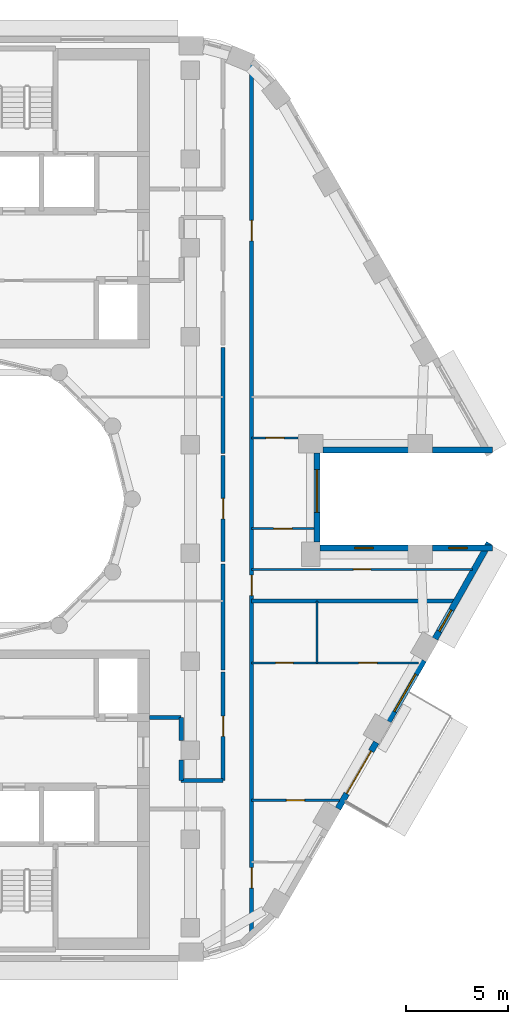
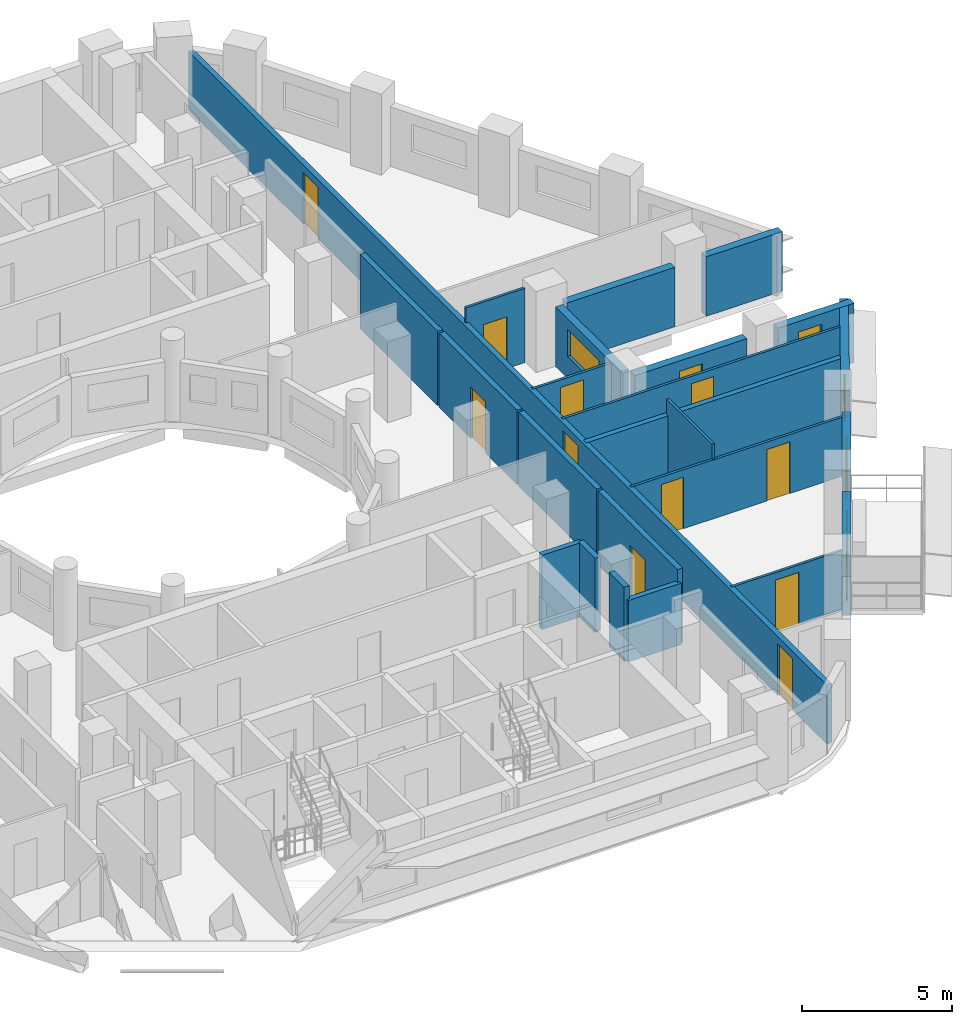
# One storey, part 6 of 15: 24 walls, 12 doors, 5 windows, 17 openings.
"""IFC4 building model written with IfcOpenShell, lengths in metres."""

from ifc_helpers import new_model, si_unit, direction, frame, frame_2d, origin, place, context, subcontext, project, spatial, rectangle, extrude, material, layer, layer_set, type_object, element, fill, save


model = new_model("IFC4")

# Units and contexts
model_context = context("Model", 3, precision=1e-05, world=origin(), true_north=direction((0.0, 1.0)))
body_context = subcontext(model_context, "Body", "Model", "MODEL_VIEW")
ifc_project = project(units=[si_unit("LENGTHUNIT", "METRE"), si_unit("AREAUNIT", "SQUARE_METRE"), si_unit("VOLUMEUNIT", "CUBIC_METRE"), si_unit("PLANEANGLEUNIT", "RADIAN"), si_unit("MASSUNIT", "GRAM", prefix="KILO")], contexts=[model_context])

# Site, building, storey
site_placement = place(None, origin())
site = spatial("IfcSite", under=ifc_project, at=site_placement, CompositionType="ELEMENT")
building_placement = place(site_placement, origin())
building = spatial("IfcBuilding", under=site, at=building_placement, Name="Nakaniwa Court", CompositionType="ELEMENT")
storey_placement = place(building_placement, frame((0.0, 0.0, 186.60009765625)))
storey = spatial("IfcBuildingStorey", under=building, at=storey_placement, Name="L48", CompositionType="ELEMENT", Elevation=186.60009765625)

# Wall, opening, door
ifc_material_1 = material(Name="Acoustic double stud partition")
ifc_layer_1 = layer(ifc_material_1, 0.199951171875)
ifc_layer_set_1 = layer_set([ifc_layer_1], Name="Acoustic double stud partition")
wall_type_1 = type_object("IfcWallType", Name="Acoustic double stud partition 200", PredefinedType="PARTITIONING", material=ifc_layer_set_1)
wall_1_placement = place(storey_placement, frame((91.60009765625, 66.22509765625, 0.0), z_axis=(0.0, 0.0, 1.0), x_axis=(0.0, 1.0, 0.0)))
wall_1 = element("IfcWall", 1, at=wall_1_placement, inside=storey, type_object=wall_type_1, Name="Partition PW-068", PredefinedType="PARTITIONING", context=body_context, shape_type="SweptSolid", body=[
    extrude(rectangle(XDim=5.297607421875, YDim=0.199951171875, at=frame_2d((2.64892578125, 0.0))), origin(), (0.0, 0.0, 1.0), 3.02490234375),
])
opening_1_placement = place(wall_1_placement, frame((2.14794921875, 0.0, 0.0)))
opening_1 = element("IfcOpeningElement", 2, at=opening_1_placement, cuts=wall_1, Name="Opening D-02-02", PredefinedType="OPENING", context=body_context, shape_type="SweptSolid", body=[
    extrude(rectangle(XDim=1.0, YDim=2.10009765625, at=frame_2d((0.5, 1.050048828125))), frame((0.0, 0.10986328125, 0.0), z_axis=(0.0, -1.0, 0.0), x_axis=(1.0, 0.0, 0.0)), (0.0, 0.0, 1.0), 0.219970703125),
])
ifc_material_2 = material(Name="Solid core timber door set, black veneer", Category="wood")
door_type_1 = type_object("IfcDoorType", Name="Internal door 1000", OperationType="NOTDEFINED", PredefinedType="DOOR", material=ifc_material_2)
door_1_placement = place(opening_1_placement, origin())
door_1 = element("IfcDoor", 3, at=door_1_placement, inside=storey, type_object=door_type_1, Name="Door D-02-02 L48-029", OperationType="SINGLE_SWING_RIGHT", OverallHeight=2.10009765625, OverallWidth=1.0, PredefinedType="DOOR", context=body_context, shape_type="SweptSolid", body=[
    extrude(rectangle(XDim=1.0, YDim=2.10009765625, at=frame_2d((0.5, 1.050048828125))), frame((0.0, 0.02490234375, 0.0), z_axis=(0.0, -1.0, 0.0), x_axis=(1.0, 0.0, 0.0)), (0.0, 0.0, 1.0), 0.050048828125),
])
fill(opening_1, door_1)

# Wall
wall_2_placement = place(storey_placement, frame((91.60009765625, 71.63720703125, 0.0), z_axis=(0.0, 0.0, 1.0), x_axis=(0.0, 1.0, 0.0)))
element("IfcWall", 4, at=wall_2_placement, inside=storey, type_object=wall_type_1, Name="Partition PW-069", PredefinedType="PARTITIONING", context=body_context, shape_type="SweptSolid", body=[
    extrude(rectangle(XDim=5.185546875, YDim=0.199951171875, at=frame_2d((2.5927734375, 0.0))), origin(), (0.0, 0.0, 1.0), 3.02490234375),
])

# Wall, opening, door
wall_3_placement = place(storey_placement, frame((91.60009765625, 76.937255859375, 0.0), z_axis=(0.0, 0.0, 1.0), x_axis=(0.0, 1.0, 0.0)))
wall_3 = element("IfcWall", 5, at=wall_3_placement, inside=storey, type_object=wall_type_1, Name="Partition PW-070", PredefinedType="PARTITIONING", context=body_context, shape_type="SweptSolid", body=[
    extrude(rectangle(XDim=5.185546875, YDim=0.199951171875, at=frame_2d((2.5927734375, 0.0))), origin(), (0.0, 0.0, 1.0), 3.02490234375),
])
opening_2_placement = place(wall_3_placement, frame((2.093017578125, 0.0, 0.0)))
opening_2 = element("IfcOpeningElement", 6, at=opening_2_placement, cuts=wall_3, Name="Opening D-02-03", PredefinedType="OPENING", context=body_context, shape_type="SweptSolid", body=[
    extrude(rectangle(XDim=1.0, YDim=2.10009765625, at=frame_2d((0.5, 1.050048828125))), frame((0.0, 0.10986328125, 0.0), z_axis=(0.0, -1.0, 0.0), x_axis=(1.0, 0.0, 0.0)), (0.0, 0.0, 1.0), 0.219970703125),
])
door_2_placement = place(opening_2_placement, origin())
door_2 = element("IfcDoor", 7, at=door_2_placement, inside=storey, type_object=door_type_1, Name="Door D-02-03 L48-030", OperationType="SINGLE_SWING_LEFT", OverallHeight=2.10009765625, OverallWidth=1.0, PredefinedType="DOOR", context=body_context, shape_type="SweptSolid", body=[
    extrude(rectangle(XDim=1.0, YDim=2.10009765625, at=frame_2d((0.5, 1.050048828125))), frame((0.0, 0.02490234375, 0.0), z_axis=(0.0, -1.0, 0.0), x_axis=(1.0, 0.0, 0.0)), (0.0, 0.0, 1.0), 0.050048828125),
])
fill(opening_2, door_2)

# Wall
wall_4_placement = place(storey_placement, frame((91.60009765625, 82.2373046875, 0.0), z_axis=(0.0, 0.0, 1.0), x_axis=(0.0, 1.0, 0.0)))
element("IfcWall", 8, at=wall_4_placement, inside=storey, type_object=wall_type_1, Name="Partition PW-071", PredefinedType="PARTITIONING", context=body_context, shape_type="SweptSolid", body=[
    extrude(rectangle(XDim=5.185546875, YDim=0.199951171875, at=frame_2d((2.5927734375, 0.0))), origin(), (0.0, 0.0, 1.0), 3.02490234375),
])

# Wall, openings, doors
wall_5_placement = place(storey_placement, frame((93.0, 101.28076171875, 0.0), z_axis=(0.0, 0.0, 1.0), x_axis=(0.0, -1.0, 0.0)))
wall_5 = element("IfcWall", 9, at=wall_5_placement, inside=storey, type_object=wall_type_1, Name="Partition PW-078", PredefinedType="PARTITIONING", context=body_context, shape_type="SweptSolid", body=[
    extrude(rectangle(XDim=42.6064453125, YDim=0.199951171875, at=frame_2d((21.30322265625, 0.0))), origin(), (0.0, 0.0, 1.0), 2.40478515625),
])
opening_3_placement = place(wall_5_placement, frame((39.330078125, 0.0, 0.0)))
opening_3 = element("IfcOpeningElement", 10, at=opening_3_placement, cuts=wall_5, Name="Opening D-01-01", PredefinedType="OPENING", context=body_context, shape_type="SweptSolid", body=[
    extrude(rectangle(XDim=1.0, YDim=2.10009765625, at=frame_2d((0.5, 1.050048828125))), frame((0.0, 0.10986328125, 0.0), z_axis=(0.0, -1.0, 0.0), x_axis=(1.0, 0.0, 0.0)), (0.0, 0.0, 1.0), 0.219970703125),
])
opening_4_placement = place(wall_5_placement, frame((25.0048828125, 0.0, 0.0)))
opening_4 = element("IfcOpeningElement", 11, at=opening_4_placement, cuts=wall_5, Name="Opening D-01-02", PredefinedType="OPENING", context=body_context, shape_type="SweptSolid", body=[
    extrude(rectangle(XDim=1.0, YDim=2.10009765625, at=frame_2d((0.5, 1.050048828125))), frame((0.0, 0.10986328125, 0.0), z_axis=(0.0, -1.0, 0.0), x_axis=(1.0, 0.0, 0.0)), (0.0, 0.0, 1.0), 0.219970703125),
])
opening_5_placement = place(wall_5_placement, frame((7.64306640625, 0.0, 0.0)))
opening_5 = element("IfcOpeningElement", 12, at=opening_5_placement, cuts=wall_5, Name="Opening D-02-04", PredefinedType="OPENING", context=body_context, shape_type="SweptSolid", body=[
    extrude(rectangle(XDim=1.0, YDim=2.10009765625, at=frame_2d((0.5, 1.050048828125))), frame((0.0, 0.10986328125, 0.0), z_axis=(0.0, -1.0, 0.0), x_axis=(1.0, 0.0, 0.0)), (0.0, 0.0, 1.0), 0.219970703125),
])
door_type_2 = type_object("IfcDoorType", Name="Flat entrance door 1000", OperationType="NOTDEFINED", PredefinedType="DOOR", material=ifc_material_2)
door_3_placement = place(opening_3_placement, origin())
door_3 = element("IfcDoor", 13, at=door_3_placement, inside=storey, type_object=door_type_2, Name="Door D-01-01 L48-024", OperationType="SINGLE_SWING_LEFT", OverallHeight=2.10009765625, OverallWidth=1.0, PredefinedType="DOOR", context=body_context, shape_type="SweptSolid", body=[
    extrude(rectangle(XDim=1.0, YDim=2.10009765625, at=frame_2d((0.5, 1.050048828125))), frame((0.0, 0.02490234375, 0.0), z_axis=(0.0, -1.0, 0.0), x_axis=(1.0, 0.0, 0.0)), (0.0, 0.0, 1.0), 0.050048828125),
])
fill(opening_3, door_3)
door_4_placement = place(opening_4_placement, origin())
door_4 = element("IfcDoor", 14, at=door_4_placement, inside=storey, type_object=door_type_2, Name="Door D-01-02 L48-031", OperationType="SINGLE_SWING_RIGHT", OverallHeight=2.10009765625, OverallWidth=1.0, PredefinedType="DOOR", context=body_context, shape_type="SweptSolid", body=[
    extrude(rectangle(XDim=1.0, YDim=2.10009765625, at=frame_2d((0.5, 1.050048828125))), frame((0.0, 0.02490234375, 0.0), z_axis=(0.0, -1.0, 0.0), x_axis=(1.0, 0.0, 0.0)), (0.0, 0.0, 1.0), 0.050048828125),
])
fill(opening_4, door_4)
door_5_placement = place(opening_5_placement, origin())
door_5 = element("IfcDoor", 15, at=door_5_placement, inside=storey, type_object=door_type_1, Name="Door D-02-04 L48-035", OperationType="SINGLE_SWING_RIGHT", OverallHeight=2.10009765625, OverallWidth=1.0, PredefinedType="DOOR", context=body_context, shape_type="SweptSolid", body=[
    extrude(rectangle(XDim=1.0, YDim=2.10009765625, at=frame_2d((0.5, 1.050048828125))), frame((0.0, 0.02490234375, 0.0), z_axis=(0.0, -1.0, 0.0), x_axis=(1.0, 0.0, 0.0)), (0.0, 0.0, 1.0), 0.050048828125),
])
fill(opening_5, door_5)

# Walls
wall_6_placement = place(storey_placement, frame((88.0, 69.300048828125, 0.0), z_axis=(0.0, 0.0, 1.0), x_axis=(1.0, 0.0, 0.0)))
element("IfcWall", 16, at=wall_6_placement, inside=storey, type_object=wall_type_1, Name="Partition PW-080", PredefinedType="PARTITIONING", context=body_context, shape_type="SweptSolid", body=[
    extrude(rectangle(XDim=1.550048828125, YDim=0.199951171875, at=frame_2d((0.77490234375, 0.0))), origin(), (0.0, 0.0, 1.0), 3.02490234375),
])
wall_7_placement = place(storey_placement, frame((89.550048828125, 66.22509765625, 0.0), z_axis=(0.0, 0.0, 1.0), x_axis=(0.0, 1.0, 0.0)))
element("IfcWall", 17, at=wall_7_placement, inside=storey, type_object=wall_type_1, Name="Partition PW-081", PredefinedType="PARTITIONING", context=body_context, shape_type="SweptSolid", body=[
    extrude(rectangle(XDim=1.0078125, YDim=0.199951171875, at=frame_2d((0.50390625, 0.0))), origin(), (0.0, 0.0, 1.0), 3.02490234375),
])
wall_8_placement = place(storey_placement, frame((89.550048828125, 68.167236328125, 0.0), z_axis=(0.0, 0.0, 1.0), x_axis=(0.0, 1.0, 0.0)))
element("IfcWall", 18, at=wall_8_placement, inside=storey, type_object=wall_type_1, Name="Partition PW-082", PredefinedType="PARTITIONING", context=body_context, shape_type="SweptSolid", body=[
    extrude(rectangle(XDim=1.1328125, YDim=0.199951171875, at=frame_2d((0.56640625, 0.0))), origin(), (0.0, 0.0, 1.0), 3.02490234375),
])
wall_9_placement = place(storey_placement, frame((89.550048828125, 66.22509765625, 0.0), z_axis=(0.0, 0.0, 1.0), x_axis=(1.0, 0.0, 0.0)))
element("IfcWall", 19, at=wall_9_placement, inside=storey, type_object=wall_type_1, Name="Partition PW-086", PredefinedType="PARTITIONING", context=body_context, shape_type="SweptSolid", body=[
    extrude(rectangle(XDim=2.050048828125, YDim=0.199951171875, at=frame_2d((1.02490234375, 0.0))), origin(), (0.0, 0.0, 1.0), 2.5048828125),
])
wall_10_placement = place(storey_placement, frame((93.001220703125, 75.0, 0.0), z_axis=(0.0, 0.0, 1.0), x_axis=(1.0, 0.0, 0.0)))
element("IfcWall", 20, at=wall_10_placement, inside=storey, type_object=wall_type_1, Name="Partition PW-116", PredefinedType="PARTITIONING", context=body_context, shape_type="SweptSolid", body=[
    extrude(rectangle(XDim=9.91943359375, YDim=0.199951171875, at=frame_2d((4.959716796875, 0.0))), origin(), (0.0, 0.0, 1.0), 2.40478515625),
])
ifc_material_3 = material(Name="Charcoal ceramic cladding")
ifc_layer_2 = layer(ifc_material_3, 0.02, Name="Ceramic cladding")
ifc_material_4 = material(Name="Ventilated air cavity")
ifc_layer_3 = layer(ifc_material_4, 0.04, ventilated=True, Name="Ventilated cavity")
ifc_material_5 = material(Name="Mineral wool insulation")
ifc_layer_4 = layer(ifc_material_5, 0.1, Name="Insulation")
ifc_material_6 = material(Name="Cement bonded sheathing board")
ifc_layer_5 = layer(ifc_material_6, 0.012, Name="Sheathing")
ifc_material_7 = material(Name="Cold-formed galvanised stud frame with mineral wool infill")
ifc_layer_6 = layer(ifc_material_7, 0.1, Name="Stud frame")
ifc_material_8 = material(Name="Fire-rated gypsum plasterboard lining")
ifc_layer_7 = layer(ifc_material_8, 0.028, Name="Lining")
ifc_layer_set_2 = layer_set([ifc_layer_2, ifc_layer_3, ifc_layer_4, ifc_layer_5, ifc_layer_6, ifc_layer_7], Name="Charcoal ceramic faced external wall system")
wall_type_2 = type_object("IfcWallType", Name="Black ceramic faced external wall 300", PredefinedType="SOLIDWALL", material=ifc_layer_set_2)
wall_11_placement = place(storey_placement, frame((96.49560546875, 82.39990234375, 0.0), z_axis=(0.0, 0.0, 1.0), x_axis=(1.0, 0.0, 0.0)))
element("IfcWall", 21, at=wall_11_placement, inside=storey, type_object=wall_type_2, Name="L48 external wall 00", PredefinedType="SOLIDWALL", context=body_context, shape_type="SweptSolid", body=[
    extrude(rectangle(XDim=4.17236328125, YDim=0.300048828125, at=frame_2d((2.086181640625, 0.0))), origin(), (0.0, 0.0, 1.0), 2.4248046875),
])
wall_12_placement = place(storey_placement, frame((101.860107421875, 82.39990234375, 0.0), z_axis=(0.0, 0.0, 1.0), x_axis=(1.0, 0.0, 0.0)))
element("IfcWall", 22, at=wall_12_placement, inside=storey, type_object=wall_type_2, Name="L48 external wall 01", PredefinedType="SOLIDWALL", context=body_context, shape_type="SweptSolid", body=[
    extrude(rectangle(XDim=2.937744140625, YDim=0.300048828125, at=frame_2d((1.46875, 0.0))), origin(), (0.0, 0.0, 1.0), 2.4248046875),
])

# Wall, opening, door
wall_13_placement = place(storey_placement, frame((97.22900390625, 64.841552734375, 0.0), z_axis=(0.0, 0.0, 1.0), x_axis=(0.500059225181, 0.86599120741, 0.0)))
wall_13 = element("IfcWall", 23, at=wall_13_placement, inside=storey, type_object=wall_type_2, Name="L48 external wall 30", PredefinedType="SOLIDWALL", context=body_context, shape_type="SweptSolid", body=[
    extrude(rectangle(XDim=3.744140625, YDim=0.300048828125, at=frame_2d((1.8720703125, 0.0))), origin(), (0.0, 0.0, 1.0), 2.4248046875),
])
opening_6_placement = place(wall_13_placement, frame((0.847412109375, 0.0, 0.0)))
opening_6 = element("IfcOpeningElement", 24, at=opening_6_placement, cuts=wall_13, Name="Opening XD13.02", PredefinedType="OPENING", context=body_context, shape_type="SweptSolid", body=[
    extrude(rectangle(XDim=2.39990234375, YDim=2.0, at=frame_2d((1.199951171875, 1.0))), frame((0.0, 0.159912109375, 0.0), z_axis=(0.0, -1.0, 0.0), x_axis=(1.0, 0.0, 0.0)), (0.0, 0.0, 1.0), 0.320068359375),
])
ifc_material_9 = material(Name="Black powder-coated aluminium frame with dark laminated glass", Category="aluminium")
door_type_3 = type_object("IfcDoorType", Name="Balcony sliding door 2400x2000", OperationType="DOUBLE_DOOR_SLIDING", PredefinedType="DOOR", material=ifc_material_9)
door_6_placement = place(opening_6_placement, origin())
door_6 = element("IfcDoor", 25, at=door_6_placement, inside=storey, type_object=door_type_3, Name="L48 balcony sliding door 02", OperationType="DOUBLE_DOOR_SLIDING", OverallHeight=2.0, OverallWidth=2.39990234375, PredefinedType="DOOR", context=body_context, shape_type="SweptSolid", body=[
    extrude(rectangle(XDim=2.39990234375, YDim=2.0, at=frame_2d((1.199951171875, 1.0))), frame((0.0, 0.02490234375, 0.0), z_axis=(0.0, -1.0, 0.0), x_axis=(1.0, 0.0, 0.0)), (0.0, 0.0, 1.0), 0.050048828125),
])
fill(opening_6, door_6)

# Wall, opening, window
wall_14_placement = place(storey_placement, frame((99.697265625, 69.116455078125, 0.0), z_axis=(0.0, 0.0, 1.0), x_axis=(0.499955427682, 0.866051136095, 0.0)))
wall_14 = element("IfcWall", 26, at=wall_14_placement, inside=storey, type_object=wall_type_2, Name="L48 external wall 31", PredefinedType="SOLIDWALL", context=body_context, shape_type="SweptSolid", body=[
    extrude(rectangle(XDim=3.447021484375, YDim=0.300048828125, at=frame_2d((1.7236328125, 0.0))), origin(), (0.0, 0.0, 1.0), 2.4248046875),
])
opening_7_placement = place(wall_14_placement, frame((0.56298828125, 0.0, 0.89990234375)))
opening_7 = element("IfcOpeningElement", 27, at=opening_7_placement, cuts=wall_14, Name="Opening W7.31", PredefinedType="OPENING", context=body_context, shape_type="SweptSolid", body=[
    extrude(rectangle(XDim=2.10009765625, YDim=1.10009765625, at=frame_2d((1.050048828125, 0.550048828125))), frame((0.0, 0.159912109375, 0.0), z_axis=(0.0, -1.0, 0.0), x_axis=(1.0, 0.0, 0.0)), (0.0, 0.0, 1.0), 0.320068359375),
])
ifc_material_10 = material(Name="Black anodised aluminium frame with dark low-E laminated double glazing", Category="aluminium")
window_type_1 = type_object("IfcWindowType", Name="Dark glass window 2100x1100 sill 900", PartitioningType="SINGLE_PANEL", PredefinedType="WINDOW", material=ifc_material_10)
window_1_placement = place(opening_7_placement, origin())
window_1 = element("IfcWindow", 28, at=window_1_placement, inside=storey, type_object=window_type_1, Name="L48 living window 31-0", OverallHeight=1.10009765625, OverallWidth=2.10009765625, PartitioningType="SINGLE_PANEL", PredefinedType="WINDOW", context=body_context, shape_type="SweptSolid", body=[
    extrude(rectangle(XDim=2.10009765625, YDim=1.10009765625, at=frame_2d((1.050048828125, 0.550048828125))), frame((0.0, 0.030029296875, 0.0), z_axis=(0.0, -1.0, 0.0), x_axis=(1.0, 0.0, 0.0)), (0.0, 0.0, 1.0), 0.06005859375),
])
fill(opening_7, window_1)

wall_15_placement = place(storey_placement, frame((101.976806640625, 73.156982421875, 0.0), z_axis=(0.0, 0.0, 1.0), x_axis=(0.492033360928, 0.870576344575, 0.0)))
wall_15 = element("IfcWall", 29, at=wall_15_placement, inside=storey, type_object=wall_type_2, Name="L48 external wall 32", PredefinedType="SOLIDWALL", context=body_context, shape_type="SweptSolid", body=[
    extrude(rectangle(XDim=5.38671875, YDim=0.300048828125, at=frame_2d((2.693359375, 0.0))), origin(), (0.0, 0.0, 1.0), 2.4248046875),
])
opening_8_placement = place(wall_15_placement, frame((0.42333984375, 0.0, 0.89990234375)))
opening_8 = element("IfcOpeningElement", 30, at=opening_8_placement, cuts=wall_15, Name="Opening W6.32", PredefinedType="OPENING", context=body_context, shape_type="SweptSolid", body=[
    extrude(rectangle(XDim=1.199951171875, YDim=1.10009765625, at=frame_2d((0.60009765625, 0.550048828125))), frame((0.0, 0.159912109375, 0.0), z_axis=(0.0, -1.0, 0.0), x_axis=(1.0, 0.0, 0.0)), (0.0, 0.0, 1.0), 0.320068359375),
])
window_type_2 = type_object("IfcWindowType", Name="Dark glass window 1200x1100 sill 900", PartitioningType="SINGLE_PANEL", PredefinedType="WINDOW", material=ifc_material_10)
window_2_placement = place(opening_8_placement, origin())
window_2 = element("IfcWindow", 31, at=window_2_placement, inside=storey, type_object=window_type_2, Name="L48 habitable room window 32-0", OverallHeight=1.10009765625, OverallWidth=1.199951171875, PartitioningType="SINGLE_PANEL", PredefinedType="WINDOW", context=body_context, shape_type="SweptSolid", body=[
    extrude(rectangle(XDim=1.199951171875, YDim=1.10009765625, at=frame_2d((0.60009765625, 0.550048828125))), frame((0.0, 0.030029296875, 0.0), z_axis=(0.0, -1.0, 0.0), x_axis=(1.0, 0.0, 0.0)), (0.0, 0.0, 1.0), 0.06005859375),
])
fill(opening_8, window_2)

wall_16_placement = place(storey_placement, frame((104.7978515625, 77.60009765625, 0.0), z_axis=(0.0, 0.0, 1.0), x_axis=(-1.0, 0.0, 0.0)))
wall_16 = element("IfcWall", 32, at=wall_16_placement, inside=storey, type_object=wall_type_2, Name="L48 external wall 33", PredefinedType="SOLIDWALL", context=body_context, shape_type="SweptSolid", body=[
    extrude(rectangle(XDim=2.937744140625, YDim=0.300048828125, at=frame_2d((1.46875, 0.0))), origin(), (0.0, 0.0, 1.0), 2.4248046875),
])
opening_9_placement = place(wall_16_placement, frame((1.243896484375, 0.0, 1.5)))
opening_9 = element("IfcOpeningElement", 33, at=opening_9_placement, cuts=wall_16, Name="Opening W10.33", PredefinedType="OPENING", context=body_context, shape_type="SweptSolid", body=[
    extrude(rectangle(XDim=0.89990234375, YDim=0.5, at=frame_2d((0.449951171875, 0.25))), frame((0.0, 0.159912109375, 0.0), z_axis=(0.0, -1.0, 0.0), x_axis=(1.0, 0.0, 0.0)), (0.0, 0.0, 1.0), 0.320068359375),
])
window_type_3 = type_object("IfcWindowType", Name="Dark glass window 900x500 sill 1500", PartitioningType="SINGLE_PANEL", PredefinedType="WINDOW", material=ifc_material_10)
window_3_placement = place(opening_9_placement, origin())
window_3 = element("IfcWindow", 34, at=window_3_placement, inside=storey, type_object=window_type_3, Name="L48 bathroom window 33-0", OverallHeight=0.5, OverallWidth=0.89990234375, PartitioningType="SINGLE_PANEL", PredefinedType="WINDOW", context=body_context, shape_type="SweptSolid", body=[
    extrude(rectangle(XDim=0.89990234375, YDim=0.5, at=frame_2d((0.449951171875, 0.25))), frame((0.0, 0.030029296875, 0.0), z_axis=(0.0, -1.0, 0.0), x_axis=(1.0, 0.0, 0.0)), (0.0, 0.0, 1.0), 0.06005859375),
])
fill(opening_9, window_3)

wall_17_placement = place(storey_placement, frame((100.66796875, 77.60009765625, 0.0), z_axis=(0.0, 0.0, 1.0), x_axis=(-1.0, 0.0, 0.0)))
wall_17 = element("IfcWall", 35, at=wall_17_placement, inside=storey, type_object=wall_type_2, Name="L48 external wall 34", PredefinedType="SOLIDWALL", context=body_context, shape_type="SweptSolid", body=[
    extrude(rectangle(XDim=4.322509765625, YDim=0.300048828125, at=frame_2d((2.1611328125, 0.0))), origin(), (0.0, 0.0, 1.0), 2.4248046875),
])
opening_10_placement = place(wall_17_placement, frame((1.711181640625, 0.0, 1.5)))
opening_10 = element("IfcOpeningElement", 36, at=opening_10_placement, cuts=wall_17, Name="Opening W10.34", PredefinedType="OPENING", context=body_context, shape_type="SweptSolid", body=[
    extrude(rectangle(XDim=0.89990234375, YDim=0.5, at=frame_2d((0.449951171875, 0.25))), frame((0.0, 0.159912109375, 0.0), z_axis=(0.0, -1.0, 0.0), x_axis=(1.0, 0.0, 0.0)), (0.0, 0.0, 1.0), 0.320068359375),
])
window_4_placement = place(opening_10_placement, origin())
window_4 = element("IfcWindow", 37, at=window_4_placement, inside=storey, type_object=window_type_3, Name="L48 bathroom window 34-0", OverallHeight=0.5, OverallWidth=0.89990234375, PartitioningType="SINGLE_PANEL", PredefinedType="WINDOW", context=body_context, shape_type="SweptSolid", body=[
    extrude(rectangle(XDim=0.89990234375, YDim=0.5, at=frame_2d((0.449951171875, 0.25))), frame((0.0, 0.030029296875, 0.0), z_axis=(0.0, -1.0, 0.0), x_axis=(1.0, 0.0, 0.0)), (0.0, 0.0, 1.0), 0.06005859375),
])
fill(opening_10, window_4)

wall_18_placement = place(storey_placement, frame((96.199462890625, 77.89599609375, 0.0), z_axis=(0.0, 0.0, 1.0), x_axis=(0.0, 1.0, 0.0)))
wall_18 = element("IfcWall", 38, at=wall_18_placement, inside=storey, type_object=wall_type_2, Name="L48 external wall 35", PredefinedType="SOLIDWALL", context=body_context, shape_type="SweptSolid", body=[
    extrude(rectangle(XDim=4.35791015625, YDim=0.300048828125, at=frame_2d((2.178955078125, 0.0))), origin(), (0.0, 0.0, 1.0), 2.4248046875),
])
opening_11_placement = place(wall_18_placement, frame((1.444580078125, 0.0, 0.89990234375)))
opening_11 = element("IfcOpeningElement", 39, at=opening_11_placement, cuts=wall_18, Name="Opening W7.35", PredefinedType="OPENING", context=body_context, shape_type="SweptSolid", body=[
    extrude(rectangle(XDim=2.10009765625, YDim=1.10009765625, at=frame_2d((1.050048828125, 0.550048828125))), frame((0.0, 0.159912109375, 0.0), z_axis=(0.0, -1.0, 0.0), x_axis=(1.0, 0.0, 0.0)), (0.0, 0.0, 1.0), 0.320068359375),
])
window_5_placement = place(opening_11_placement, origin())
window_5 = element("IfcWindow", 40, at=window_5_placement, inside=storey, type_object=window_type_1, Name="L48 living window 35-1", OverallHeight=1.10009765625, OverallWidth=2.10009765625, PartitioningType="SINGLE_PANEL", PredefinedType="WINDOW", context=body_context, shape_type="SweptSolid", body=[
    extrude(rectangle(XDim=2.10009765625, YDim=1.10009765625, at=frame_2d((1.050048828125, 0.550048828125))), frame((0.0, 0.030029296875, 0.0), z_axis=(0.0, -1.0, 0.0), x_axis=(1.0, 0.0, 0.0)), (0.0, 0.0, 1.0), 0.06005859375),
])
fill(opening_11, window_5)

# Wall, opening, door
ifc_material_11 = material(Name="Single stud plasterboard partition")
ifc_layer_8 = layer(ifc_material_11, 0.10009765625)
ifc_layer_set_3 = layer_set([ifc_layer_8], Name="Single stud plasterboard partition")
wall_type_3 = type_object("IfcWallType", Name="Single stud plasterboard partition 100", PredefinedType="PARTITIONING", material=ifc_layer_set_3)
wall_19_placement = place(storey_placement, frame((93.0009765625, 65.2509765625, 0.0), z_axis=(0.0, 0.0, 1.0), x_axis=(1.0, 0.0, 0.0)))
wall_19 = element("IfcWall", 41, at=wall_19_placement, inside=storey, type_object=wall_type_3, Name="Partition PW-113", PredefinedType="PARTITIONING", context=body_context, shape_type="SweptSolid", body=[
    extrude(rectangle(XDim=4.291015625, YDim=0.10009765625, at=frame_2d((2.1455078125, 0.0))), origin(), (0.0, 0.0, 1.0), 2.40478515625),
])
opening_12_placement = place(wall_19_placement, frame((1.696044921875, 0.0, 0.0)))
opening_12 = element("IfcOpeningElement", 42, at=opening_12_placement, cuts=wall_19, Name="Opening D-33-02", PredefinedType="OPENING", context=body_context, shape_type="SweptSolid", body=[
    extrude(rectangle(XDim=0.89990234375, YDim=2.10009765625, at=frame_2d((0.449951171875, 1.050048828125))), frame((0.0, 0.06005859375, 0.0), z_axis=(0.0, -1.0, 0.0), x_axis=(1.0, 0.0, 0.0)), (0.0, 0.0, 1.0), 0.1201171875),
])
door_type_4 = type_object("IfcDoorType", Name="Internal door 900", OperationType="NOTDEFINED", PredefinedType="DOOR", material=ifc_material_2)
door_7_placement = place(opening_12_placement, origin())
door_7 = element("IfcDoor", 43, at=door_7_placement, inside=storey, type_object=door_type_4, Name="Door D-33-02 L48-026", OperationType="SINGLE_SWING_LEFT", OverallHeight=2.10009765625, OverallWidth=0.89990234375, PredefinedType="DOOR", context=body_context, shape_type="SweptSolid", body=[
    extrude(rectangle(XDim=0.89990234375, YDim=2.10009765625, at=frame_2d((0.449951171875, 1.050048828125))), frame((0.0, 0.02490234375, 0.0), z_axis=(0.0, -1.0, 0.0), x_axis=(1.0, 0.0, 0.0)), (0.0, 0.0, 1.0), 0.050048828125),
])
fill(opening_12, door_7)

# Wall, openings, doors
wall_20_placement = place(storey_placement, frame((93.0009765625, 71.97412109375, 0.0), z_axis=(0.0, 0.0, 1.0), x_axis=(1.0, 0.0, 0.0)))
wall_20 = element("IfcWall", 44, at=wall_20_placement, inside=storey, type_object=wall_type_3, Name="Partition PW-114", PredefinedType="PARTITIONING", context=body_context, shape_type="SweptSolid", body=[
    extrude(rectangle(XDim=8.173095703125, YDim=0.10009765625, at=frame_2d((4.08642578125, 0.0))), origin(), (0.0, 0.0, 1.0), 2.40478515625),
])
opening_13_placement = place(wall_20_placement, frame((1.175048828125, 0.0, 0.0)))
opening_13 = element("IfcOpeningElement", 45, at=opening_13_placement, cuts=wall_20, Name="Opening D-03-01", PredefinedType="OPENING", context=body_context, shape_type="SweptSolid", body=[
    extrude(rectangle(XDim=0.85009765625, YDim=2.10009765625, at=frame_2d((0.425048828125, 1.050048828125))), frame((0.0, 0.06005859375, 0.0), z_axis=(0.0, -1.0, 0.0), x_axis=(1.0, 0.0, 0.0)), (0.0, 0.0, 1.0), 0.1201171875),
])
opening_14_placement = place(wall_20_placement, frame((5.236083984375, 0.0, 0.0)))
opening_14 = element("IfcOpeningElement", 46, at=opening_14_placement, cuts=wall_20, Name="Opening D-33-03", PredefinedType="OPENING", context=body_context, shape_type="SweptSolid", body=[
    extrude(rectangle(XDim=0.89990234375, YDim=2.10009765625, at=frame_2d((0.449951171875, 1.050048828125))), frame((0.0, 0.06005859375, 0.0), z_axis=(0.0, -1.0, 0.0), x_axis=(1.0, 0.0, 0.0)), (0.0, 0.0, 1.0), 0.1201171875),
])
ifc_material_12 = material(Name="Moisture sealed timber door set", Category="wood")
door_type_5 = type_object("IfcDoorType", Name="Bathroom door 850", OperationType="NOTDEFINED", PredefinedType="DOOR", material=ifc_material_12)
door_8_placement = place(opening_13_placement, origin())
door_8 = element("IfcDoor", 47, at=door_8_placement, inside=storey, type_object=door_type_5, Name="Door D-03-01 L48-027", OperationType="SINGLE_SWING_RIGHT", OverallHeight=2.10009765625, OverallWidth=0.85009765625, PredefinedType="DOOR", context=body_context, shape_type="SweptSolid", body=[
    extrude(rectangle(XDim=0.85009765625, YDim=2.10009765625, at=frame_2d((0.425048828125, 1.050048828125))), frame((0.0, 0.02490234375, 0.0), z_axis=(0.0, -1.0, 0.0), x_axis=(1.0, 0.0, 0.0)), (0.0, 0.0, 1.0), 0.050048828125),
])
fill(opening_13, door_8)
door_9_placement = place(opening_14_placement, origin())
door_9 = element("IfcDoor", 48, at=door_9_placement, inside=storey, type_object=door_type_4, Name="Door D-33-03 L48-028", OperationType="SINGLE_SWING_LEFT", OverallHeight=2.10009765625, OverallWidth=0.89990234375, PredefinedType="DOOR", context=body_context, shape_type="SweptSolid", body=[
    extrude(rectangle(XDim=0.89990234375, YDim=2.10009765625, at=frame_2d((0.449951171875, 1.050048828125))), frame((0.0, 0.02490234375, 0.0), z_axis=(0.0, -1.0, 0.0), x_axis=(1.0, 0.0, 0.0)), (0.0, 0.0, 1.0), 0.050048828125),
])
fill(opening_14, door_9)

# Wall
wall_21_placement = place(storey_placement, frame((96.200927734375, 71.974365234375, 0.0), z_axis=(0.0, 0.0, 1.0), x_axis=(0.0, 1.0, 0.0)))
element("IfcWall", 49, at=wall_21_placement, inside=storey, type_object=wall_type_3, Name="Partition PW-115", PredefinedType="PARTITIONING", context=body_context, shape_type="SweptSolid", body=[
    extrude(rectangle(XDim=3.025634765625, YDim=0.10009765625, at=frame_2d((1.5126953125, 0.0))), origin(), (0.0, 0.0, 1.0), 3.02490234375),
])

# Wall, opening, door
wall_22_placement = place(storey_placement, frame((93.0009765625, 76.550048828125, 0.0), z_axis=(0.0, 0.0, 1.0), x_axis=(1.0, 0.0, 0.0)))
wall_22 = element("IfcWall", 50, at=wall_22_placement, inside=storey, type_object=wall_type_3, Name="Partition PW-120", PredefinedType="PARTITIONING", context=body_context, shape_type="SweptSolid", body=[
    extrude(rectangle(XDim=10.81494140625, YDim=0.10009765625, at=frame_2d((5.407470703125, 0.0))), origin(), (0.0, 0.0, 1.0), 2.40478515625),
])
opening_15_placement = place(wall_22_placement, frame((4.98193359375, 0.0, 0.0)))
opening_15 = element("IfcOpeningElement", 51, at=opening_15_placement, cuts=wall_22, Name="Opening D-03-02", PredefinedType="OPENING", context=body_context, shape_type="SweptSolid", body=[
    extrude(rectangle(XDim=0.85009765625, YDim=2.10009765625, at=frame_2d((0.425048828125, 1.050048828125))), frame((0.0, 0.06005859375, 0.0), z_axis=(0.0, -1.0, 0.0), x_axis=(1.0, 0.0, 0.0)), (0.0, 0.0, 1.0), 0.1201171875),
])
door_10_placement = place(opening_15_placement, origin())
door_10 = element("IfcDoor", 52, at=door_10_placement, inside=storey, type_object=door_type_5, Name="Door D-03-02 L48-032", OperationType="SINGLE_SWING_LEFT", OverallHeight=2.10009765625, OverallWidth=0.85009765625, PredefinedType="DOOR", context=body_context, shape_type="SweptSolid", body=[
    extrude(rectangle(XDim=0.85009765625, YDim=2.10009765625, at=frame_2d((0.425048828125, 1.050048828125))), frame((0.0, 0.02490234375, 0.0), z_axis=(0.0, -1.0, 0.0), x_axis=(1.0, 0.0, 0.0)), (0.0, 0.0, 1.0), 0.050048828125),
])
fill(opening_15, door_10)

wall_23_placement = place(storey_placement, frame((93.0009765625, 78.551025390625, 0.0), z_axis=(0.0, 0.0, 1.0), x_axis=(1.0, 0.0, 0.0)))
wall_23 = element("IfcWall", 53, at=wall_23_placement, inside=storey, type_object=wall_type_3, Name="Partition PW-121", PredefinedType="PARTITIONING", context=body_context, shape_type="SweptSolid", body=[
    extrude(rectangle(XDim=3.048583984375, YDim=0.10009765625, at=frame_2d((1.5244140625, 0.0))), origin(), (0.0, 0.0, 1.0), 2.40478515625),
])
opening_16_placement = place(wall_23_placement, frame((1.073974609375, 0.0, 0.0)))
opening_16 = element("IfcOpeningElement", 54, at=opening_16_placement, cuts=wall_23, Name="Opening D-33-04", PredefinedType="OPENING", context=body_context, shape_type="SweptSolid", body=[
    extrude(rectangle(XDim=0.89990234375, YDim=2.10009765625, at=frame_2d((0.449951171875, 1.050048828125))), frame((0.0, 0.06005859375, 0.0), z_axis=(0.0, -1.0, 0.0), x_axis=(1.0, 0.0, 0.0)), (0.0, 0.0, 1.0), 0.1201171875),
])
door_11_placement = place(opening_16_placement, origin())
door_11 = element("IfcDoor", 55, at=door_11_placement, inside=storey, type_object=door_type_4, Name="Door D-33-04 L48-033", OperationType="SINGLE_SWING_RIGHT", OverallHeight=2.10009765625, OverallWidth=0.89990234375, PredefinedType="DOOR", context=body_context, shape_type="SweptSolid", body=[
    extrude(rectangle(XDim=0.89990234375, YDim=2.10009765625, at=frame_2d((0.449951171875, 1.050048828125))), frame((0.0, 0.02490234375, 0.0), z_axis=(0.0, -1.0, 0.0), x_axis=(1.0, 0.0, 0.0)), (0.0, 0.0, 1.0), 0.050048828125),
])
fill(opening_16, door_11)

wall_24_placement = place(storey_placement, frame((93.0009765625, 82.9990234375, 0.0), z_axis=(0.0, 0.0, 1.0), x_axis=(1.0, 0.0, 0.0)))
wall_24 = element("IfcWall", 56, at=wall_24_placement, inside=storey, type_object=wall_type_3, Name="Partition PW-122", PredefinedType="PARTITIONING", context=body_context, shape_type="SweptSolid", body=[
    extrude(rectangle(XDim=2.278564453125, YDim=0.10009765625, at=frame_2d((1.13916015625, 0.0))), origin(), (0.0, 0.0, 1.0), 3.02490234375),
])
opening_17_placement = place(wall_24_placement, frame((0.68896484375, 0.0, 0.0)))
opening_17 = element("IfcOpeningElement", 57, at=opening_17_placement, cuts=wall_24, Name="Opening D-33-05", PredefinedType="OPENING", context=body_context, shape_type="SweptSolid", body=[
    extrude(rectangle(XDim=0.89990234375, YDim=2.10009765625, at=frame_2d((0.449951171875, 1.050048828125))), frame((0.0, 0.06005859375, 0.0), z_axis=(0.0, -1.0, 0.0), x_axis=(1.0, 0.0, 0.0)), (0.0, 0.0, 1.0), 0.1201171875),
])
door_12_placement = place(opening_17_placement, origin())
door_12 = element("IfcDoor", 58, at=door_12_placement, inside=storey, type_object=door_type_4, Name="Door D-33-05 L48-034", OperationType="SINGLE_SWING_LEFT", OverallHeight=2.10009765625, OverallWidth=0.89990234375, PredefinedType="DOOR", context=body_context, shape_type="SweptSolid", body=[
    extrude(rectangle(XDim=0.89990234375, YDim=2.10009765625, at=frame_2d((0.449951171875, 1.050048828125))), frame((0.0, 0.02490234375, 0.0), z_axis=(0.0, -1.0, 0.0), x_axis=(1.0, 0.0, 0.0)), (0.0, 0.0, 1.0), 0.050048828125),
])
fill(opening_17, door_12)

save(model, "model.ifc")
